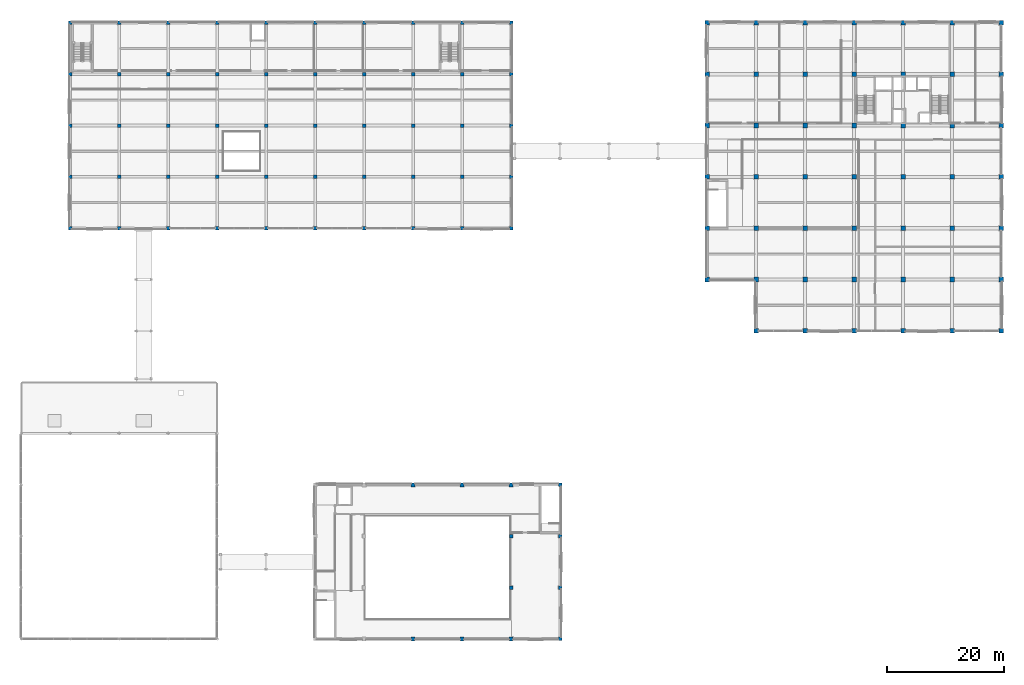
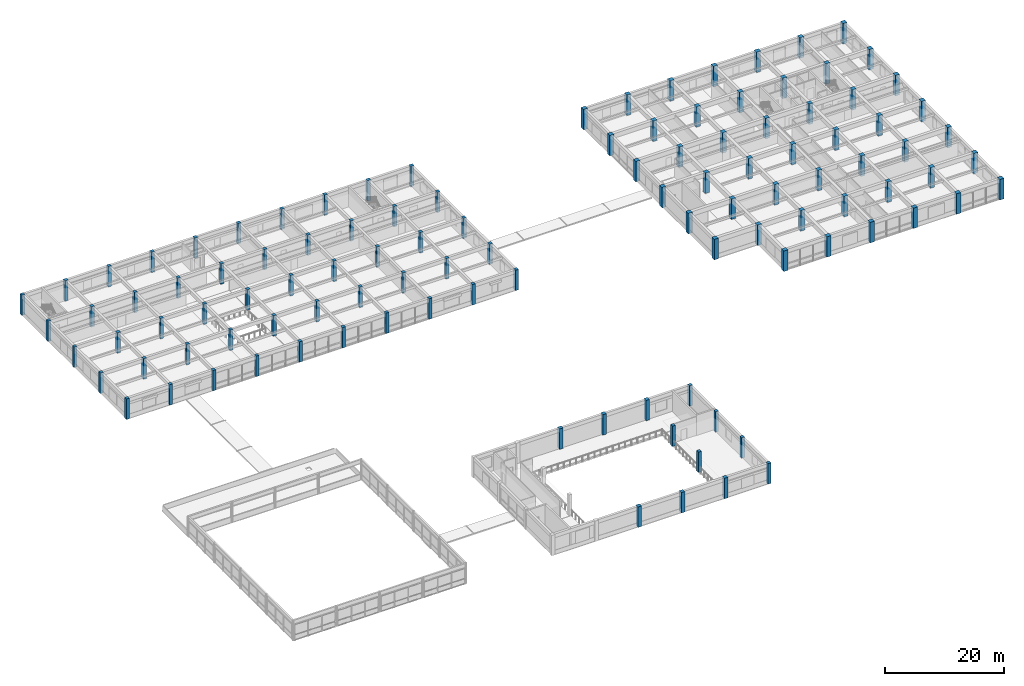
# One storey, part 4 of 46: 110 columns.
"""IFC4 building model written with IfcOpenShell, lengths in metres."""

from ifc_helpers import new_model, si_unit, direction, frame, origin, origin_2d, place, context, subcontext, project, spatial, rectangle, extrude, material, material_profile, profile_set, type_object, element, save


model = new_model("IFC4")

# Units and contexts
model_context = context("Model", 3, precision=1e-05, world=origin(), true_north=direction((0.0, 1.0)))
body_context = subcontext(model_context, "Body", "Model", "MODEL_VIEW")
ifc_project = project(units=[si_unit("LENGTHUNIT", "METRE"), si_unit("AREAUNIT", "SQUARE_METRE"), si_unit("VOLUMEUNIT", "CUBIC_METRE"), si_unit("PLANEANGLEUNIT", "RADIAN"), si_unit("MASSUNIT", "GRAM", prefix="KILO")], contexts=[model_context])

# Site, building, storey
site_placement = place(None, origin())
site = spatial("IfcSite", under=ifc_project, at=site_placement, CompositionType="ELEMENT")
building_placement = place(site_placement, origin())
building = spatial("IfcBuilding", under=site, at=building_placement, Name="Kemercrest Conservatory and Botanical Centre", CompositionType="ELEMENT")
storey_placement = place(building_placement, frame((0.0, 0.0, 9.0)))
storey = spatial("IfcBuildingStorey", under=building, at=storey_placement, Name="L02", CompositionType="ELEMENT", Elevation=9.0)

# Columns
ifc_material_1 = material(Name="Concrete C40/50", Category="concrete")
ifc_material_profile_1 = material_profile(ifc_material_1, rectangle(XDim=0.60009765625, YDim=0.60009765625, at=origin_2d()), Name="RC 600x600")
ifc_profile_set_1 = profile_set([ifc_material_profile_1], Name="Concrete C40/50")
column_type_1 = type_object("IfcColumnType", Name="C-RC60", PredefinedType="COLUMN", material=ifc_profile_set_1)
for number, where, z_axis, x_axis, name in (
    (1, (92.0, 25.60009765625, 0.0), (0.0, 0.0, 1.0), (1.0, 0.0, 0.0), "Auditorium column 11/C"),
    (2, (92.0, 34.39990234375, 0.0), (0.0, 0.0, 1.0), (1.0, 0.0, 0.0), "Auditorium column 11/D"),
    (3, (100.39990234375, 16.800048828125, 0.0), (0.0, 0.0, 1.0), (1.0, 0.0, 0.0), "Auditorium column 12/B"),
    (4, (100.39990234375, 25.60009765625, 0.0), (0.0, 0.0, 1.0), (1.0, 0.0, 0.0), "Auditorium column 12/C"),
    (5, (100.39990234375, 34.39990234375, 0.0), (0.0, 0.0, 1.0), (1.0, 0.0, 0.0), "Auditorium column 12/D"),
    (6, (100.39990234375, 43.199951171875, 0.0), (0.0, 0.0, 1.0), (1.0, 0.0, 0.0), "Auditorium column 12/E"),
    (7, (16.39990234375, 87.199951171875, 0.0), (0.0, 0.0, 1.0), (1.0, 0.0, 0.0), "Visitor Wing column 02/K"),
    (8, (16.39990234375, 96.0, 0.0), (0.0, 0.0, 1.0), (1.0, 0.0, 0.0), "Visitor Wing column 02/L"),
    (9, (16.39990234375, 104.800048828125, 0.0), (0.0, 0.0, 1.0), (1.0, 0.0, 0.0), "Visitor Wing column 02/M"),
    (10, (16.39990234375, 113.60009765625, 0.0), (0.0, 0.0, 1.0), (1.0, 0.0, 0.0), "Visitor Wing column 02/N"),
    (11, (16.39990234375, 122.39990234375, 0.0), (0.0, 0.0, 1.0), (1.0, 0.0, 0.0), "Visitor Wing column 02/P"),
    (12, (24.800048828125, 87.199951171875, 0.0), (0.0, 0.0, 1.0), (1.0, 0.0, 0.0), "Visitor Wing column 03/K"),
    (13, (24.800048828125, 96.0, 0.0), (0.0, 0.0, 1.0), (1.0, 0.0, 0.0), "Visitor Wing column 03/L"),
    (14, (24.800048828125, 104.800048828125, 0.0), (0.0, 0.0, 1.0), (1.0, 0.0, 0.0), "Visitor Wing column 03/M"),
    (15, (24.800048828125, 113.60009765625, 0.0), (0.0, 0.0, 1.0), (1.0, 0.0, 0.0), "Visitor Wing column 03/N"),
    (16, (24.800048828125, 122.39990234375, 0.0), (0.0, 0.0, 1.0), (1.0, 0.0, 0.0), "Visitor Wing column 03/P"),
    (17, (33.199951171875, 87.199951171875, 0.0), (0.0, 0.0, 1.0), (1.0, 0.0, 0.0), "Visitor Wing column 04/K"),
    (18, (33.199951171875, 96.0, 0.0), (0.0, 0.0, 1.0), (1.0, 0.0, 0.0), "Visitor Wing column 04/L"),
    (19, (33.199951171875, 104.800048828125, 0.0), (0.0, 0.0, 1.0), (1.0, 0.0, 0.0), "Visitor Wing column 04/M"),
    (20, (33.199951171875, 113.60009765625, 0.0), (0.0, 0.0, 1.0), (1.0, 0.0, 0.0), "Visitor Wing column 04/N"),
    (21, (33.199951171875, 122.39990234375, 0.0), (0.0, 0.0, 1.0), (1.0, 0.0, 0.0), "Visitor Wing column 04/P"),
    (22, (41.60009765625, 87.199951171875, 0.0), (0.0, 0.0, 1.0), (1.0, 0.0, 0.0), "Visitor Wing column 05/K"),
    (23, (41.60009765625, 96.0, 0.0), (0.0, 0.0, 1.0), (1.0, 0.0, 0.0), "Visitor Wing column 05/L"),
    (24, (41.60009765625, 104.800048828125, 0.0), (0.0, 0.0, 1.0), (1.0, 0.0, 0.0), "Visitor Wing column 05/M"),
    (25, (41.60009765625, 113.60009765625, 0.0), (0.0, 0.0, 1.0), (1.0, 0.0, 0.0), "Visitor Wing column 05/N"),
    (26, (41.60009765625, 122.39990234375, 0.0), (0.0, 0.0, 1.0), (1.0, 0.0, 0.0), "Visitor Wing column 05/P"),
    (27, (50.0, 87.199951171875, 0.0), (0.0, 0.0, 1.0), (1.0, 0.0, 0.0), "Visitor Wing column 06/K"),
    (28, (50.0, 96.0, 0.0), (0.0, 0.0, 1.0), (1.0, 0.0, 0.0), "Visitor Wing column 06/L"),
    (29, (50.0, 104.800048828125, 0.0), (0.0, 0.0, 1.0), (1.0, 0.0, 0.0), "Visitor Wing column 06/M"),
    (30, (50.0, 113.60009765625, 0.0), (0.0, 0.0, 1.0), (1.0, 0.0, 0.0), "Visitor Wing column 06/N"),
    (31, (50.0, 122.39990234375, 0.0), (0.0, 0.0, 1.0), (1.0, 0.0, 0.0), "Visitor Wing column 06/P"),
    (32, (58.39990234375, 87.199951171875, 0.0), (0.0, 0.0, 1.0), (1.0, 0.0, 0.0), "Visitor Wing column 07/K"),
    (33, (58.39990234375, 96.0, 0.0), (0.0, 0.0, 1.0), (1.0, 0.0, 0.0), "Visitor Wing column 07/L"),
    (34, (58.39990234375, 104.800048828125, 0.0), (0.0, 0.0, 1.0), (1.0, 0.0, 0.0), "Visitor Wing column 07/M"),
    (35, (58.39990234375, 113.60009765625, 0.0), (0.0, 0.0, 1.0), (1.0, 0.0, 0.0), "Visitor Wing column 07/N"),
    (36, (58.39990234375, 122.39990234375, 0.0), (0.0, 0.0, 1.0), (1.0, 0.0, 0.0), "Visitor Wing column 07/P"),
    (37, (66.800048828125, 87.199951171875, 0.0), (0.0, 0.0, 1.0), (1.0, 0.0, 0.0), "Visitor Wing column 08/K"),
    (38, (66.800048828125, 96.0, 0.0), (0.0, 0.0, 1.0), (1.0, 0.0, 0.0), "Visitor Wing column 08/L"),
    (39, (66.800048828125, 104.800048828125, 0.0), (0.0, 0.0, 1.0), (1.0, 0.0, 0.0), "Visitor Wing column 08/M"),
    (40, (66.800048828125, 113.60009765625, 0.0), (0.0, 0.0, 1.0), (1.0, 0.0, 0.0), "Visitor Wing column 08/N"),
    (41, (66.800048828125, 122.39990234375, 0.0), (0.0, 0.0, 1.0), (1.0, 0.0, 0.0), "Visitor Wing column 08/P"),
    (42, (75.199951171875, 87.199951171875, 0.0), (0.0, 0.0, 1.0), (1.0, 0.0, 0.0), "Visitor Wing column 09/K"),
    (43, (75.199951171875, 96.0, 0.0), (0.0, 0.0, 1.0), (1.0, 0.0, 0.0), "Visitor Wing column 09/L"),
    (44, (75.199951171875, 104.800048828125, 0.0), (0.0, 0.0, 1.0), (1.0, 0.0, 0.0), "Visitor Wing column 09/M"),
    (45, (75.199951171875, 113.60009765625, 0.0), (0.0, 0.0, 1.0), (1.0, 0.0, 0.0), "Visitor Wing column 09/N"),
    (46, (75.199951171875, 122.39990234375, 0.0), (0.0, 0.0, 1.0), (1.0, 0.0, 0.0), "Visitor Wing column 09/P"),
    (47, (83.60009765625, 87.199951171875, 0.0), (0.0, 0.0, 1.0), (1.0, 0.0, 0.0), "Visitor Wing column 10/K"),
    (48, (83.60009765625, 96.0, 0.0), (0.0, 0.0, 1.0), (1.0, 0.0, 0.0), "Visitor Wing column 10/L"),
    (49, (83.60009765625, 104.800048828125, 0.0), (0.0, 0.0, 1.0), (1.0, 0.0, 0.0), "Visitor Wing column 10/M"),
    (50, (83.60009765625, 113.60009765625, 0.0), (0.0, 0.0, 1.0), (1.0, 0.0, 0.0), "Visitor Wing column 10/N"),
    (51, (83.60009765625, 122.39990234375, 0.0), (0.0, 0.0, 1.0), (1.0, 0.0, 0.0), "Visitor Wing column 10/P"),
    (52, (92.0, 87.199951171875, 0.0), (0.0, 0.0, 1.0), (1.0, 0.0, 0.0), "Visitor Wing column 11/K"),
    (53, (92.0, 96.0, 0.0), (0.0, 0.0, 1.0), (1.0, 0.0, 0.0), "Visitor Wing column 11/L"),
    (54, (92.0, 104.800048828125, 0.0), (0.0, 0.0, 1.0), (1.0, 0.0, 0.0), "Visitor Wing column 11/M"),
    (55, (92.0, 113.60009765625, 0.0), (0.0, 0.0, 1.0), (1.0, 0.0, 0.0), "Visitor Wing column 11/N"),
    (56, (92.0, 122.39990234375, 0.0), (0.0, 0.0, 1.0), (1.0, 0.0, 0.0), "Visitor Wing column 11/P"),
):
    element("IfcColumn", number, at=place(storey_placement, frame(where, z_axis=z_axis, x_axis=x_axis)), inside=storey, type_object=column_type_1, Name=name, PredefinedType="COLUMN", context=body_context, shape_type="SweptSolid", body=[
        extrude(rectangle(XDim=0.60009765625, YDim=0.60009765625, at=origin_2d()), origin(), (0.0, 0.0, 1.0), 4.199951171875),
    ])
ifc_material_2 = material(Name="Concrete C50/60", Category="concrete")
ifc_material_profile_2 = material_profile(ifc_material_2, rectangle(XDim=0.699951171875, YDim=0.699951171875, at=origin_2d()), Name="RC 700x700")
ifc_profile_set_2 = profile_set([ifc_material_profile_2], Name="Concrete C50/60")
column_type_2 = type_object("IfcColumnType", Name="C-RC70", PredefinedType="COLUMN", material=ifc_profile_set_2)
for number, where, z_axis, x_axis, name in (
    (57, (75.199951171875, 16.800048828125, 0.0), (0.0, 0.0, 1.0), (1.0, 0.0, 0.0), "Auditorium column 09/B"),
    (58, (75.199951171875, 43.199951171875, 0.0), (0.0, 0.0, 1.0), (1.0, 0.0, 0.0), "Auditorium column 09/E"),
    (59, (83.60009765625, 16.800048828125, 0.0), (0.0, 0.0, 1.0), (1.0, 0.0, 0.0), "Auditorium column 10/B"),
    (60, (83.60009765625, 43.199951171875, 0.0), (0.0, 0.0, 1.0), (1.0, 0.0, 0.0), "Auditorium column 10/E"),
    (61, (92.0, 16.800048828125, 0.0), (0.0, 0.0, 1.0), (1.0, 0.0, 0.0), "Auditorium column 11/B"),
    (62, (92.0, 43.199951171875, 0.0), (0.0, 0.0, 1.0), (1.0, 0.0, 0.0), "Auditorium column 11/E"),
):
    element("IfcColumn", number, at=place(storey_placement, frame(where, z_axis=z_axis, x_axis=x_axis)), inside=storey, type_object=column_type_2, Name=name, PredefinedType="COLUMN", context=body_context, shape_type="SweptSolid", body=[
        extrude(rectangle(XDim=0.699951171875, YDim=0.699951171875, at=origin_2d()), origin(), (0.0, 0.0, 1.0), 4.199951171875),
    ])
ifc_material_profile_3 = material_profile(ifc_material_2, rectangle(XDim=0.800048828125, YDim=0.800048828125, at=origin_2d()), Name="RC 800x800")
ifc_profile_set_3 = profile_set([ifc_material_profile_3], Name="Concrete C50/60")
column_type_3 = type_object("IfcColumnType", Name="C-RC80", PredefinedType="COLUMN", material=ifc_profile_set_3)
for number, where, z_axis, x_axis, name in (
    (63, (125.60009765625, 78.39990234375, 0.0), (0.0, 0.0, 1.0), (1.0, 0.0, 0.0), "Tower column C-RC80 15/J"),
    (64, (125.60009765625, 87.199951171875, 0.0), (0.0, 0.0, 1.0), (1.0, 0.0, 0.0), "Tower column C-RC80 15/K"),
    (65, (125.60009765625, 96.0, 0.0), (0.0, 0.0, 1.0), (1.0, 0.0, 0.0), "Tower column C-RC80 15/L"),
    (66, (125.60009765625, 104.800048828125, 0.0), (0.0, 0.0, 1.0), (1.0, 0.0, 0.0), "Tower column C-RC80 15/M"),
    (67, (125.60009765625, 113.60009765625, 0.0), (0.0, 0.0, 1.0), (1.0, 0.0, 0.0), "Tower column C-RC80 15/N"),
    (68, (125.60009765625, 122.39990234375, 0.0), (0.0, 0.0, 1.0), (1.0, 0.0, 0.0), "Tower column C-RC80 15/P"),
    (69, (134.0, 69.60009765625, 0.0), (0.0, 0.0, 1.0), (1.0, 0.0, 0.0), "Tower column C-RC80 16/H"),
    (70, (134.0, 78.39990234375, 0.0), (0.0, 0.0, 1.0), (1.0, 0.0, 0.0), "Tower column C-RC80 16/J"),
    (71, (134.0, 87.199951171875, 0.0), (0.0, 0.0, 1.0), (1.0, 0.0, 0.0), "Tower column C-RC80 16/K"),
    (72, (134.0, 96.0, 0.0), (0.0, 0.0, 1.0), (1.0, 0.0, 0.0), "Tower column C-RC80 16/L"),
    (73, (134.0, 104.800048828125, 0.0), (0.0, 0.0, 1.0), (1.0, 0.0, 0.0), "Tower column C-RC80 16/M"),
    (74, (134.0, 113.60009765625, 0.0), (0.0, 0.0, 1.0), (1.0, 0.0, 0.0), "Tower column C-RC80 16/N"),
    (75, (134.0, 122.39990234375, 0.0), (0.0, 0.0, 1.0), (1.0, 0.0, 0.0), "Tower column C-RC80 16/P"),
    (76, (142.39990234375, 69.60009765625, 0.0), (0.0, 0.0, 1.0), (1.0, 0.0, 0.0), "Tower column C-RC80 17/H"),
    (77, (142.39990234375, 78.39990234375, 0.0), (0.0, 0.0, 1.0), (1.0, 0.0, 0.0), "Tower column C-RC80 17/J"),
    (78, (142.39990234375, 87.199951171875, 0.0), (0.0, 0.0, 1.0), (1.0, 0.0, 0.0), "Tower column C-RC80 17/K"),
    (79, (142.39990234375, 96.0, 0.0), (0.0, 0.0, 1.0), (1.0, 0.0, 0.0), "Tower column C-RC80 17/L"),
    (80, (142.39990234375, 104.800048828125, 0.0), (0.0, 0.0, 1.0), (1.0, 0.0, 0.0), "Tower column C-RC80 17/M"),
    (81, (142.39990234375, 113.60009765625, 0.0), (0.0, 0.0, 1.0), (1.0, 0.0, 0.0), "Tower column C-RC80 17/N"),
    (82, (142.39990234375, 122.39990234375, 0.0), (0.0, 0.0, 1.0), (1.0, 0.0, 0.0), "Tower column C-RC80 17/P"),
    (83, (150.800048828125, 69.60009765625, 0.0), (0.0, 0.0, 1.0), (1.0, 0.0, 0.0), "Tower column C-RC80 18/H"),
    (84, (150.800048828125, 78.39990234375, 0.0), (0.0, 0.0, 1.0), (1.0, 0.0, 0.0), "Tower column C-RC80 18/J"),
    (85, (150.800048828125, 87.199951171875, 0.0), (0.0, 0.0, 1.0), (1.0, 0.0, 0.0), "Tower column C-RC80 18/K"),
    (86, (150.800048828125, 96.0, 0.0), (0.0, 0.0, 1.0), (1.0, 0.0, 0.0), "Tower column C-RC80 18/L"),
    (87, (150.800048828125, 104.800048828125, 0.0), (0.0, 0.0, 1.0), (1.0, 0.0, 0.0), "Tower column C-RC80 18/M"),
    (88, (150.800048828125, 113.60009765625, 0.0), (0.0, 0.0, 1.0), (1.0, 0.0, 0.0), "Tower column C-RC80 18/N"),
    (89, (150.800048828125, 122.39990234375, 0.0), (0.0, 0.0, 1.0), (1.0, 0.0, 0.0), "Tower column C-RC80 18/P"),
    (90, (159.199951171875, 69.60009765625, 0.0), (0.0, 0.0, 1.0), (1.0, 0.0, 0.0), "Tower column C-RC80 19/H"),
    (91, (159.199951171875, 78.39990234375, 0.0), (0.0, 0.0, 1.0), (1.0, 0.0, 0.0), "Tower column C-RC80 19/J"),
    (92, (159.199951171875, 87.199951171875, 0.0), (0.0, 0.0, 1.0), (1.0, 0.0, 0.0), "Tower column C-RC80 19/K"),
    (93, (159.199951171875, 96.0, 0.0), (0.0, 0.0, 1.0), (1.0, 0.0, 0.0), "Tower column C-RC80 19/L"),
    (94, (159.199951171875, 104.800048828125, 0.0), (0.0, 0.0, 1.0), (1.0, 0.0, 0.0), "Tower column C-RC80 19/M"),
    (95, (159.199951171875, 113.60009765625, 0.0), (0.0, 0.0, 1.0), (1.0, 0.0, 0.0), "Tower column C-RC80 19/N"),
    (96, (159.199951171875, 122.39990234375, 0.0), (0.0, 0.0, 1.0), (1.0, 0.0, 0.0), "Tower column C-RC80 19/P"),
    (97, (167.60009765625, 69.60009765625, 0.0), (0.0, 0.0, 1.0), (1.0, 0.0, 0.0), "Tower column C-RC80 20/H"),
    (98, (167.60009765625, 78.39990234375, 0.0), (0.0, 0.0, 1.0), (1.0, 0.0, 0.0), "Tower column C-RC80 20/J"),
    (99, (167.60009765625, 87.199951171875, 0.0), (0.0, 0.0, 1.0), (1.0, 0.0, 0.0), "Tower column C-RC80 20/K"),
    (100, (167.60009765625, 96.0, 0.0), (0.0, 0.0, 1.0), (1.0, 0.0, 0.0), "Tower column C-RC80 20/L"),
    (101, (167.60009765625, 104.800048828125, 0.0), (0.0, 0.0, 1.0), (1.0, 0.0, 0.0), "Tower column C-RC80 20/M"),
    (102, (167.60009765625, 113.60009765625, 0.0), (0.0, 0.0, 1.0), (1.0, 0.0, 0.0), "Tower column C-RC80 20/N"),
    (103, (167.60009765625, 122.39990234375, 0.0), (0.0, 0.0, 1.0), (1.0, 0.0, 0.0), "Tower column C-RC80 20/P"),
    (104, (176.0, 69.60009765625, 0.0), (0.0, 0.0, 1.0), (1.0, 0.0, 0.0), "Tower column C-RC80 21/H"),
    (105, (176.0, 78.39990234375, 0.0), (0.0, 0.0, 1.0), (1.0, 0.0, 0.0), "Tower column C-RC80 21/J"),
    (106, (176.0, 87.199951171875, 0.0), (0.0, 0.0, 1.0), (1.0, 0.0, 0.0), "Tower column C-RC80 21/K"),
    (107, (176.0, 96.0, 0.0), (0.0, 0.0, 1.0), (1.0, 0.0, 0.0), "Tower column C-RC80 21/L"),
    (108, (176.0, 104.800048828125, 0.0), (0.0, 0.0, 1.0), (1.0, 0.0, 0.0), "Tower column C-RC80 21/M"),
    (109, (176.0, 113.60009765625, 0.0), (0.0, 0.0, 1.0), (1.0, 0.0, 0.0), "Tower column C-RC80 21/N"),
    (110, (176.0, 122.39990234375, 0.0), (0.0, 0.0, 1.0), (1.0, 0.0, 0.0), "Tower column C-RC80 21/P"),
):
    element("IfcColumn", number, at=place(storey_placement, frame(where, z_axis=z_axis, x_axis=x_axis)), inside=storey, type_object=column_type_3, Name=name, PredefinedType="COLUMN", context=body_context, shape_type="SweptSolid", body=[
        extrude(rectangle(XDim=0.800048828125, YDim=0.800048828125, at=origin_2d()), origin(), (0.0, 0.0, 1.0), 4.199951171875),
    ])

save(model, "model.ifc")
